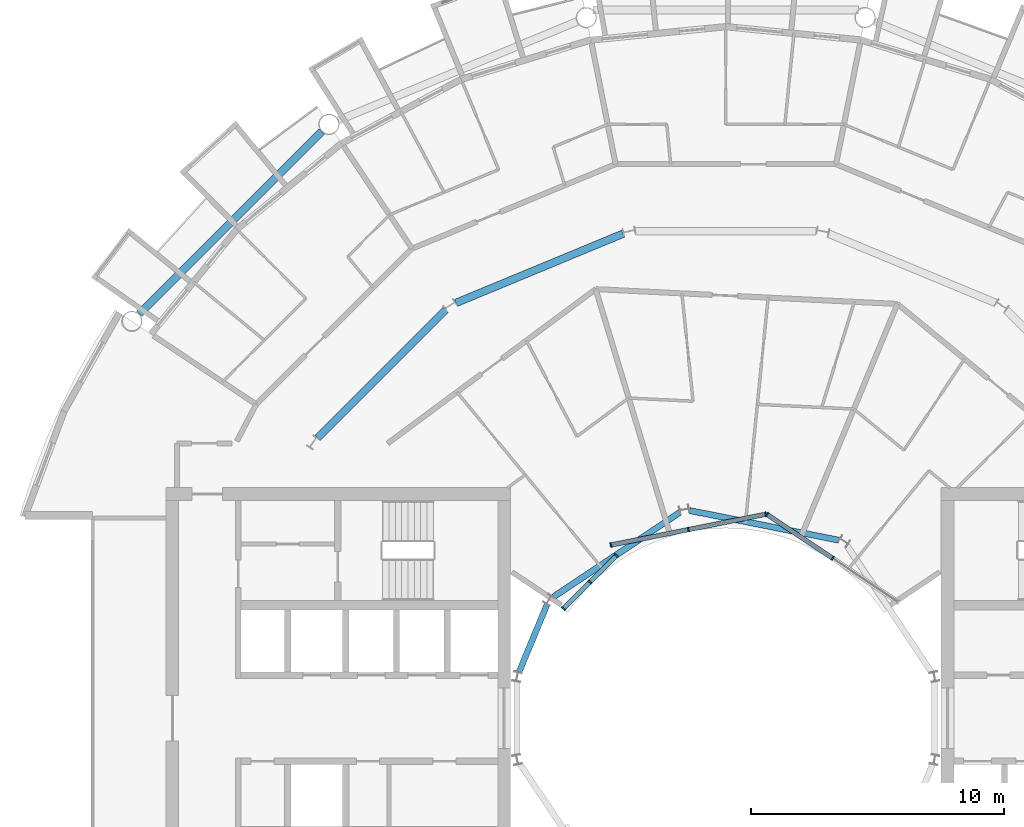
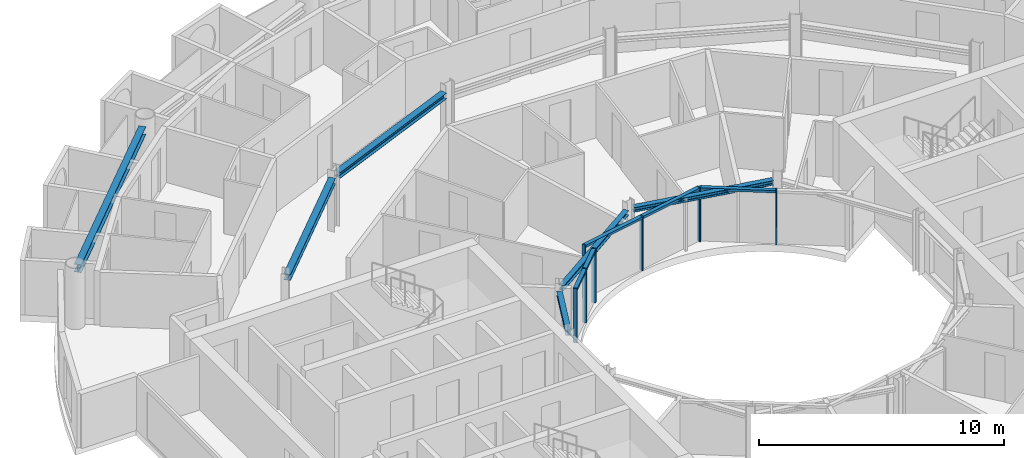
# One storey, part 8 of 27: 13 members, 6 beams, 3 elements without a shape of their own.
"""IFC4 building model written with IfcOpenShell, lengths in metres."""

import ifcopenshell
import ifcopenshell.guid

model = None  # the IFC model being written
_history = None  # IfcOwnerHistory: only IFC2X3 demands one
_inside = {}  # id of a spatial element -> (the spatial element, [elements in it])
_under = {}  # id of a project, library or spatial element -> (it, [spatial elements below it])
_declared = {}  # id of a project -> (the project, [libraries it declares])
_typed = {}  # id of a type object -> (the type object, [elements of that type])
_made_of = {}  # id of a material, layer set ... -> (it, [elements and type objects made of it])


def new_model(schema):
    """Start an empty IFC model of exactly this schema.

    Asked for "IFC4X3", IfcOpenShell would pick the latest addendum, in which some entities
    have other attributes; the version numbers below select the first issue.
    IFC2X3 requires an IfcOwnerHistory on every rooted entity: one is made here for all.
    """
    global model, _history
    if schema == "IFC4X3":
        model = ifcopenshell.file(schema_version=(4, 3, 0, 0))
    else:
        model = ifcopenshell.file(schema=schema)
    _inside.clear()
    _under.clear()
    _declared.clear()
    _typed.clear()
    _made_of.clear()
    _history = None
    if model.schema == "IFC2X3":
        org = make("IfcOrganization", Name="unknown")
        user = make(
            "IfcPersonAndOrganization",
            ThePerson=make("IfcPerson", FamilyName="unknown"),
            TheOrganization=org,
        )
        app = make(
            "IfcApplication",
            ApplicationDeveloper=org,
            Version="unknown",
            ApplicationFullName="unknown",
            ApplicationIdentifier="unknown",
        )
        _history = make(
            "IfcOwnerHistory",
            OwningUser=user,
            OwningApplication=app,
            ChangeAction="ADDED",
            CreationDate=0,
        )
    return model


def make(cls, **values):
    """One entity of the class cls with the attributes given. An attribute that is None is left unset."""
    return model.create_entity(
        cls, **{name: value for name, value in values.items() if value is not None}
    )


def rooted(cls, **values):
    """An entity with a GlobalId (a new one), such as an element, a storey or a relation."""
    return make(cls, GlobalId=ifcopenshell.guid.new(), OwnerHistory=_history, **values)


def si_unit(unit_type, name, prefix=None):
    """IfcSIUnit, for example si_unit("LENGTHUNIT", "METRE", prefix="MILLI")."""
    return make("IfcSIUnit", UnitType=unit_type, Prefix=prefix, Name=name)


def assignment(units):
    """IfcUnitAssignment: the units of a project."""
    return None if units is None else make("IfcUnitAssignment", Units=units)


def point(xyz):
    """IfcCartesianPoint."""
    return None if xyz is None else make("IfcCartesianPoint", Coordinates=xyz)


def direction(xyz):
    """IfcDirection."""
    return None if xyz is None else make("IfcDirection", DirectionRatios=xyz)


def frame(location, z_axis=None, x_axis=None):
    """IfcAxis2Placement3D, a coordinate frame: its origin and axes. An axis left out is left unset."""
    return make(
        "IfcAxis2Placement3D",
        Location=point(location),
        Axis=direction(z_axis),
        RefDirection=direction(x_axis),
    )


def frame_2d(location, x_axis=None):
    """IfcAxis2Placement2D, a coordinate frame in the plane: its origin and x axis."""
    return make(
        "IfcAxis2Placement2D", Location=point(location), RefDirection=direction(x_axis)
    )


def origin():
    """The frame at (0, 0, 0) with its axes left unset."""
    return frame((0.0, 0.0, 0.0))


def origin_2d():
    """The frame at (0, 0) in the plane with its x axis left unset."""
    return frame_2d((0.0, 0.0))


def place(relative_to, where):
    """IfcLocalPlacement: puts the frame where relative to a parent placement (None: the world)."""
    return make(
        "IfcLocalPlacement", PlacementRelTo=relative_to, RelativePlacement=where
    )


def context(
    kind, dimensions, precision=None, world=None, true_north=None, identifier=None
):
    """IfcGeometricRepresentationContext, for example the 3D "Model" context."""
    return make(
        "IfcGeometricRepresentationContext",
        ContextIdentifier=identifier,
        ContextType=kind,
        CoordinateSpaceDimension=dimensions,
        Precision=precision,
        WorldCoordinateSystem=world,
        TrueNorth=true_north,
    )


def subcontext(parent, identifier, kind, view, scale=None):
    """IfcGeometricRepresentationSubContext, for example "Body" below "Model"."""
    return make(
        "IfcGeometricRepresentationSubContext",
        ContextIdentifier=identifier,
        ContextType=kind,
        ParentContext=parent,
        TargetScale=scale,
        TargetView=view,
    )


def project(units=None, contexts=None):
    """IfcProject with its units and contexts."""
    return rooted(
        "IfcProject",
        Name="project",
        RepresentationContexts=contexts,
        UnitsInContext=assignment(units),
    )


def spatial(cls, under=None, at=None, **own):
    """A site, building, storey or space (cls), placed at a placement, below another one or the project."""
    s = rooted(cls, ObjectPlacement=at, **own)
    if under is not None:
        _under.setdefault(under.id(), (under, []))[1].append(s)
    return s


def profile(cls, at=None, kind="AREA", **sizes):
    """A parametric profile (cls). Its sizes go by their IFC names, for example OverallWidth=200.0."""
    return make(cls, ProfileType=kind, Position=at, **sizes)


def rectangle(**sizes):
    """IfcRectangleProfileDef."""
    return profile("IfcRectangleProfileDef", **sizes)


def i_section(**sizes):
    """IfcIShapeProfileDef."""
    return profile("IfcIShapeProfileDef", **sizes)


def extrude(swept, where, along, depth):
    """IfcExtrudedAreaSolid: the profile swept, set in the frame where, extruded along a direction by depth."""
    return make(
        "IfcExtrudedAreaSolid",
        SweptArea=swept,
        Position=where,
        ExtrudedDirection=direction(along),
        Depth=depth,
    )


def shape(context_of_items, identifier, shape_type, items):
    """IfcShapeRepresentation: the items that make up one representation, for example the "Body"."""
    return make(
        "IfcShapeRepresentation",
        ContextOfItems=context_of_items,
        RepresentationIdentifier=identifier,
        RepresentationType=shape_type,
        Items=items,
    )


def material(Name=None, Category=None):
    """IfcMaterial."""
    return make("IfcMaterial", Name=Name, Category=Category)


def layer(
    of_material, thickness, ventilated=None, Name=None, Category=None, Priority=None
):
    """IfcMaterialLayer: one layer of a wall or slab, of a material (None: an air gap)."""
    return make(
        "IfcMaterialLayer",
        Material=of_material,
        LayerThickness=thickness,
        IsVentilated=ventilated,
        Name=Name,
        Category=Category,
        Priority=Priority,
    )


def layer_set(layers, Name=None):
    """IfcMaterialLayerSet."""
    return make("IfcMaterialLayerSet", MaterialLayers=layers, LayerSetName=Name)


def material_profile(
    of_material, cross_section, Name=None, Category=None, Priority=None
):
    """IfcMaterialProfile: a cross section and its material."""
    return make(
        "IfcMaterialProfile",
        Name=Name,
        Material=of_material,
        Profile=cross_section,
        Priority=Priority,
        Category=Category,
    )


def profile_set(profiles, Name=None, composite=None):
    """IfcMaterialProfileSet."""
    return make(
        "IfcMaterialProfileSet",
        Name=Name,
        MaterialProfiles=profiles,
        CompositeProfile=composite,
    )


def made_of(thing, what):
    """Note that an element or type object is made of a material, layer set ...; save() writes the relation."""
    if what is not None:
        _made_of.setdefault(what.id(), (what, []))[1].append(thing)
    return thing


def type_object(cls, material=None, **own):
    """A type object (cls), such as IfcWallType, which elements share."""
    return made_of(rooted(cls, **own), material)


def element(
    cls,
    number,
    at=None,
    inside=None,
    cuts=None,
    type_object=None,
    material=None,
    context=None,
    identifier="Body",
    shape_type=None,
    held_by="IfcProductDefinitionShape",
    body=None,
    shapes=None,
    **own,
):
    """One element of the class cls, such as IfcWall. Its Tag is "e" and its number.

    at: its placement. inside: the storey or other place that contains it. cuts: it is an
    opening in that element (IfcRelVoidsElement). A single representation is given by context,
    identifier, shape_type and body (its items); several are given by shapes. held_by: the class
    of the entity that holds the representations. save() writes the other relations.
    """
    e = rooted(cls, Tag="e%d" % number, ObjectPlacement=at, **own)
    if body is not None:
        shapes = [shape(context, identifier, shape_type, body)]
    if shapes is not None:
        e.Representation = make(held_by, Representations=shapes)
    if inside is not None:
        _inside.setdefault(inside.id(), (inside, []))[1].append(e)
    if cuts is not None:
        rooted(
            "IfcRelVoidsElement", RelatingBuildingElement=cuts, RelatedOpeningElement=e
        )
    if type_object is not None:
        _typed.setdefault(type_object.id(), (type_object, []))[1].append(e)
    return made_of(e, material)


def aggregate(whole, parts):
    """IfcRelAggregates: a whole, such as a stair, and the parts it consists of."""
    return rooted("IfcRelAggregates", RelatingObject=whole, RelatedObjects=parts)


def save(model, path):
    """Write the relations noted so far, then the file.

    IfcRelAggregates (storeys below a building ...), IfcRelContainedInSpatialStructure (elements
    in a storey), IfcRelDefinesByType, IfcRelAssociatesMaterial and IfcRelDeclares: one each for
    every whole, place, type object, material and project.
    """
    for whole, parts in _under.values():
        aggregate(whole, parts)
    for where, things in _inside.values():
        rooted(
            "IfcRelContainedInSpatialStructure",
            RelatedElements=things,
            RelatingStructure=where,
        )
    for kind, things in _typed.values():
        rooted("IfcRelDefinesByType", RelatedObjects=things, RelatingType=kind)
    for what, things in _made_of.values():
        rooted("IfcRelAssociatesMaterial", RelatedObjects=things, RelatingMaterial=what)
    for by, libraries in _declared.values():
        rooted("IfcRelDeclares", RelatingContext=by, RelatedDefinitions=libraries)
    model.write(path)


model = new_model("IFC4")

# Units and contexts
model_context = context("Model", 3, precision=1e-05, world=origin(), true_north=direction((0.0, 1.0)))
body_context = subcontext(model_context, "Body", "Model", "MODEL_VIEW")
ifc_project = project(units=[si_unit("LENGTHUNIT", "METRE"), si_unit("AREAUNIT", "SQUARE_METRE"), si_unit("VOLUMEUNIT", "CUBIC_METRE"), si_unit("PLANEANGLEUNIT", "RADIAN"), si_unit("MASSUNIT", "GRAM", prefix="KILO")], contexts=[model_context])

# Site, building, storey
site_placement = place(None, origin())
site = spatial("IfcSite", under=ifc_project, at=site_placement, CompositionType="ELEMENT")
building_placement = place(site_placement, origin())
building = spatial("IfcBuilding", under=site, at=building_placement, Name="Maasbend Ring Residences", CompositionType="ELEMENT")
storey_placement = place(building_placement, frame((0.0, 0.0, 170.75)))
storey = spatial("IfcBuildingStorey", under=building, at=storey_placement, Name="L49", CompositionType="ELEMENT", Elevation=170.75)

# Curtain wall, members
ifc_material_1 = material(Name="Aluminium and clear glass", Category="aluminium")
ifc_layer = layer(ifc_material_1, 0.179931640625)
ifc_layer_set = layer_set([ifc_layer], Name="CW-W")
curtain_wall_type = type_object("IfcCurtainWallType", Name="CW-W", PredefinedType="NOTDEFINED", material=ifc_layer_set)
curtain_wall_1_placement = place(storey_placement, origin())
curtain_wall_1 = element("IfcCurtainWall", 1, at=curtain_wall_1_placement, inside=storey, type_object=curtain_wall_type, Name="Well curtain wall N1", PredefinedType="NOTDEFINED")
ifc_material_2 = material(Name="Aluminium 6063-T6", Category="aluminium")
ifc_material_profile_1 = material_profile(ifc_material_2, rectangle(XDim=0.179931640625, YDim=0.06005859375, at=origin_2d()), Name="AL 180x60")
ifc_profile_set_1 = profile_set([ifc_material_profile_1], Name="Aluminium 6063-T6")
member_type_1 = type_object("IfcMemberType", Name="CWM-W", PredefinedType="MULLION", material=ifc_profile_set_1)
member_1_placement = place(storey_placement, frame((4.216796875, 6.310791015625, 0.0), z_axis=(0.0, 0.0, 1.0), x_axis=(-0.55557023302, -0.831469612303, 0.0)))
member_1 = element("IfcMember", 2, at=member_1_placement, type_object=member_type_1, Name="Mullion well face", PredefinedType="MULLION", context=body_context, shape_type="SweptSolid", body=[
    extrude(rectangle(XDim=0.179931640625, YDim=0.06005859375, at=origin_2d()), origin(), (0.0, 0.0, 1.0), 2.699951171875),
])
member_2_placement = place(storey_placement, frame((1.627685546875, 8.040771484375, 0.0), z_axis=(0.0, 0.0, 1.0), x_axis=(-0.55557023302, -0.831469612303, 0.0)))
member_2 = element("IfcMember", 3, at=member_2_placement, type_object=member_type_1, Name="Mullion well face", PredefinedType="MULLION", context=body_context, shape_type="SweptSolid", body=[
    extrude(rectangle(XDim=0.179931640625, YDim=0.06005859375, at=origin_2d()), origin(), (0.0, 0.0, 1.0), 2.699951171875),
])

curtain_wall_2_placement = place(storey_placement, origin())
curtain_wall_2 = element("IfcCurtainWall", 4, at=curtain_wall_2_placement, inside=storey, type_object=curtain_wall_type, Name="Well curtain wall N2", PredefinedType="NOTDEFINED")
member_3_placement = place(storey_placement, frame((1.5732421875, 8.0517578125, 0.0), z_axis=(0.0, 0.0, 1.0), x_axis=(0.195090322016, -0.980785280403, 0.0)))
member_3 = element("IfcMember", 5, at=member_3_placement, type_object=member_type_1, Name="Mullion well face", PredefinedType="MULLION", context=body_context, shape_type="SweptSolid", body=[
    extrude(rectangle(XDim=0.179931640625, YDim=0.06005859375, at=origin_2d()), origin(), (0.0, 0.0, 1.0), 2.699951171875),
])
member_4_placement = place(storey_placement, frame((-1.480712890625, 7.444091796875, 0.0), z_axis=(0.0, 0.0, 1.0), x_axis=(0.195090322016, -0.980785280403, 0.0)))
member_4 = element("IfcMember", 6, at=member_4_placement, type_object=member_type_1, Name="Mullion well face", PredefinedType="MULLION", context=body_context, shape_type="SweptSolid", body=[
    extrude(rectangle(XDim=0.179931640625, YDim=0.06005859375, at=origin_2d()), origin(), (0.0, 0.0, 1.0), 2.699951171875),
])
member_5_placement = place(storey_placement, frame((-4.53466796875, 6.836669921875, 0.0), z_axis=(0.0, 0.0, 1.0), x_axis=(0.195090322016, -0.980785280403, 0.0)))
member_5 = element("IfcMember", 7, at=member_5_placement, type_object=member_type_1, Name="Mullion well face", PredefinedType="MULLION", context=body_context, shape_type="SweptSolid", body=[
    extrude(rectangle(XDim=0.179931640625, YDim=0.06005859375, at=origin_2d()), origin(), (0.0, 0.0, 1.0), 2.699951171875),
])

curtain_wall_3_placement = place(storey_placement, origin())
curtain_wall_3 = element("IfcCurtainWall", 8, at=curtain_wall_3_placement, inside=storey, type_object=curtain_wall_type, Name="Well curtain wall N3", PredefinedType="NOTDEFINED")
member_6_placement = place(storey_placement, frame((-4.320556640625, 6.413330078125, 0.0), z_axis=(0.0, 0.0, 1.0), x_axis=(0.707106781187, -0.707106781187, 0.0)))
member_6 = element("IfcMember", 9, at=member_6_placement, type_object=member_type_1, Name="Mullion well face", PredefinedType="MULLION", context=body_context, shape_type="SweptSolid", body=[
    extrude(rectangle(XDim=0.179931640625, YDim=0.06005859375, at=origin_2d()), origin(), (0.0, 0.0, 1.0), 2.699951171875),
])
member_7_placement = place(storey_placement, frame((-5.366943359375, 5.366943359375, 0.0), z_axis=(0.0, 0.0, 1.0), x_axis=(0.707106781187, -0.707106781187, 0.0)))
member_7 = element("IfcMember", 10, at=member_7_placement, type_object=member_type_1, Name="Mullion well face", PredefinedType="MULLION", context=body_context, shape_type="SweptSolid", body=[
    extrude(rectangle(XDim=0.179931640625, YDim=0.06005859375, at=origin_2d()), origin(), (0.0, 0.0, 1.0), 2.699951171875),
])
member_8_placement = place(storey_placement, frame((-6.413330078125, 4.320556640625, 0.0), z_axis=(0.0, 0.0, 1.0), x_axis=(0.707106781187, -0.707106781187, 0.0)))
member_8 = element("IfcMember", 11, at=member_8_placement, type_object=member_type_1, Name="Mullion well face", PredefinedType="MULLION", context=body_context, shape_type="SweptSolid", body=[
    extrude(rectangle(XDim=0.179931640625, YDim=0.06005859375, at=origin_2d()), origin(), (0.0, 0.0, 1.0), 2.699951171875),
])

# Member
ifc_material_3 = material(Name="Aluminium 6063-T6", Category="aluminium")
ifc_material_profile_2 = material_profile(ifc_material_3, rectangle(XDim=0.179931640625, YDim=0.1201171875, at=origin_2d()), Name="AL 180x120")
ifc_profile_set_2 = profile_set([ifc_material_profile_2], Name="Aluminium 6063-T6")
member_type_2 = type_object("IfcMemberType", Name="CWT-W", PredefinedType="USERDEFINED", material=ifc_profile_set_2)
member_9_placement = place(storey_placement, frame((4.19189453125, 6.32763671875, 2.639892578125), z_axis=(-0.831496422459, 0.555530106689, 0.0), x_axis=(-0.555530106689, -0.831496422459, 0.0)))
member_9 = element("IfcMember", 12, at=member_9_placement, type_object=member_type_2, Name="Transom well face", ObjectType="TRANSOM", PredefinedType="USERDEFINED", context=body_context, shape_type="SweptSolid", body=[
    extrude(rectangle(XDim=0.179931640625, YDim=0.1201171875, at=origin_2d()), origin(), (0.0, 0.0, 1.0), 3.053955078125),
])

aggregate(curtain_wall_1, [member_1, member_2, member_9])

member_10_placement = place(storey_placement, frame((1.5439453125, 8.0458984375, 2.639892578125), z_axis=(-0.980776956105, -0.195132166424, 0.0), x_axis=(0.195132166424, -0.980776956105, 0.0)))
member_10 = element("IfcMember", 13, at=member_10_placement, type_object=member_type_2, Name="Transom well face", ObjectType="TRANSOM", PredefinedType="USERDEFINED", context=body_context, shape_type="SweptSolid", body=[
    extrude(rectangle(XDim=0.179931640625, YDim=0.1201171875, at=origin_2d()), origin(), (0.0, 0.0, 1.0), 3.053955078125),
])

member_11_placement = place(storey_placement, frame((-1.51025390625, 7.438232421875, 2.639892578125), z_axis=(-0.980789210404, -0.19507056353, 0.0), x_axis=(0.19507056353, -0.980789210404, 0.0)))
member_11 = element("IfcMember", 14, at=member_11_placement, type_object=member_type_2, Name="Transom well face", ObjectType="TRANSOM", PredefinedType="USERDEFINED", context=body_context, shape_type="SweptSolid", body=[
    extrude(rectangle(XDim=0.179931640625, YDim=0.1201171875, at=origin_2d()), origin(), (0.0, 0.0, 1.0), 3.0537109375),
])

aggregate(curtain_wall_2, [member_3, member_4, member_5, member_10, member_11])

member_12_placement = place(storey_placement, frame((-4.341796875, 6.39208984375, 2.639892578125), z_axis=(-0.707106781187, -0.707106781187, 0.0), x_axis=(0.707106781187, -0.707106781187, 0.0)))
member_12 = element("IfcMember", 15, at=member_12_placement, type_object=member_type_2, Name="Transom well face", ObjectType="TRANSOM", PredefinedType="USERDEFINED", context=body_context, shape_type="SweptSolid", body=[
    extrude(rectangle(XDim=0.179931640625, YDim=0.1201171875, at=origin_2d()), origin(), (0.0, 0.0, 1.0), 1.419677734375),
])

member_13_placement = place(storey_placement, frame((-5.38818359375, 5.345703125, 2.639892578125), z_axis=(-0.707106781187, -0.707106781187, 0.0), x_axis=(0.707106781187, -0.707106781187, 0.0)))
member_13 = element("IfcMember", 16, at=member_13_placement, type_object=member_type_2, Name="Transom well face", ObjectType="TRANSOM", PredefinedType="USERDEFINED", context=body_context, shape_type="SweptSolid", body=[
    extrude(rectangle(XDim=0.179931640625, YDim=0.1201171875, at=origin_2d()), origin(), (0.0, 0.0, 1.0), 1.419677734375),
])

aggregate(curtain_wall_3, [member_6, member_7, member_8, member_12, member_13])

# Beams
ifc_material_4 = material(Name="Steel S355J2", Category="steel")
ifc_material_profile_3 = material_profile(ifc_material_4, i_section(OverallWidth=0.300048828125, OverallDepth=0.2900390625, WebThickness=0.008544921875, FlangeThickness=0.013916015625, FilletRadius=0.027099609375, at=origin_2d()), Name="HEA 300")
ifc_profile_set_3 = profile_set([ifc_material_profile_3], Name="Steel S355J2")
beam_type_1 = type_object("IfcBeamType", Name="Corridor ring beam HEA 300", PredefinedType="BEAM", material=ifc_profile_set_3)
for number, where, z_axis, x_axis, name in (
    (17, (-4.059326171875, 19.1259765625, 2.554931640625), (-0.923871339849, -0.382703210602, 0.0), (0.382703210602, -0.923871339849, 0.0), "Corridor ring beam"),
    (18, (-11.0693359375, 16.11669921875, 2.554931640625), (-0.707106781187, -0.707106781187, 0.0), (0.707106781187, -0.707106781187, 0.0), "Corridor ring beam"),
):
    element("IfcBeam", number, at=place(storey_placement, frame(where, z_axis=z_axis, x_axis=x_axis)), inside=storey, type_object=beam_type_1, Name=name, PredefinedType="BEAM", context=body_context, shape_type="SweptSolid", body=[
        extrude(i_section(OverallWidth=0.300048828125, OverallDepth=0.2900390625, WebThickness=0.008544921875, FlangeThickness=0.013916015625, FilletRadius=0.027099609375, at=origin_2d()), origin(), (0.0, 0.0, 1.0), 7.137939453125),
    ])
ifc_material_5 = material(Name="Steel S355J2", Category="steel")
ifc_material_profile_4 = material_profile(ifc_material_5, i_section(OverallWidth=0.300048828125, OverallDepth=0.39990234375, WebThickness=0.013427734375, FlangeThickness=0.02392578125, FilletRadius=0.027099609375, at=origin_2d()), Name="HEB 400")
ifc_profile_set_4 = profile_set([ifc_material_profile_4], Name="Steel S355J2")
beam_type_2 = type_object("IfcBeamType", Name="Spandrel ring beam HEB 400", PredefinedType="SPANDREL", material=ifc_profile_set_4)
beam_1_placement = place(storey_placement, frame((-15.95458984375, 23.159912109375, 2.5), z_axis=(-0.707106781187, -0.707106781187, 0.0), x_axis=(0.707106781187, -0.707106781187, 0.0)))
element("IfcBeam", 19, at=beam_1_placement, inside=storey, type_object=beam_type_2, Name="Spandrel ring beam", PredefinedType="SPANDREL", context=body_context, shape_type="SweptSolid", body=[
    extrude(i_section(OverallWidth=0.300048828125, OverallDepth=0.39990234375, WebThickness=0.013427734375, FlangeThickness=0.02392578125, FilletRadius=0.027099609375, at=origin_2d()), origin(), (0.0, 0.0, 1.0), 10.18994140625),
])
ifc_material_6 = material(Name="Steel S355J2", Category="steel")
ifc_material_profile_5 = material_profile(ifc_material_6, i_section(OverallWidth=0.239990234375, OverallDepth=0.22998046875, WebThickness=0.007568359375, FlangeThickness=0.011962890625, FilletRadius=0.02099609375, at=origin_2d()), Name="HEA 240")
ifc_profile_set_5 = profile_set([ifc_material_profile_5], Name="Steel S355J2")
beam_type_3 = type_object("IfcBeamType", Name="Well edge beam HEA 240", PredefinedType="BEAM", material=ifc_profile_set_5)
beam_2_placement = place(storey_placement, frame((4.459716796875, 7.025390625, 2.5849609375), z_axis=(-0.980778695042, 0.195123425945, 0.0), x_axis=(-0.195123425945, -0.980778695042, 0.0)))
element("IfcBeam", 20, at=beam_2_placement, inside=storey, type_object=beam_type_3, Name="Well edge beam", PredefinedType="BEAM", context=body_context, shape_type="SweptSolid", body=[
    extrude(i_section(OverallWidth=0.239990234375, OverallDepth=0.22998046875, WebThickness=0.007568359375, FlangeThickness=0.011962890625, FilletRadius=0.02099609375, at=origin_2d()), origin(), (0.0, 0.0, 1.0), 6.007080078125),
])
beam_3_placement = place(storey_placement, frame((-1.814208984375, 8.121337890625, 2.5849609375), z_axis=(-0.831480850227, -0.555553413909, 0.0), x_axis=(0.555553413909, -0.831480850227, 0.0)))
element("IfcBeam", 21, at=beam_3_placement, inside=storey, type_object=beam_type_3, Name="Well edge beam", PredefinedType="BEAM", context=body_context, shape_type="SweptSolid", body=[
    extrude(i_section(OverallWidth=0.239990234375, OverallDepth=0.22998046875, WebThickness=0.007568359375, FlangeThickness=0.011962890625, FilletRadius=0.02099609375, at=origin_2d()), origin(), (0.0, 0.0, 1.0), 6.0068359375),
])
beam_4_placement = place(storey_placement, frame((-7.060302734375, 4.483154296875, 2.5849609375), z_axis=(-0.382748596828, -0.923852537814, 0.0), x_axis=(0.923852537814, -0.382748596828, 0.0)))
element("IfcBeam", 22, at=beam_4_placement, inside=storey, type_object=beam_type_3, Name="Well edge beam", PredefinedType="BEAM", context=body_context, shape_type="SweptSolid", body=[
    extrude(i_section(OverallWidth=0.239990234375, OverallDepth=0.22998046875, WebThickness=0.007568359375, FlangeThickness=0.011962890625, FilletRadius=0.02099609375, at=origin_2d()), origin(), (0.0, 0.0, 1.0), 2.8798828125),
])

save(model, "model.ifc")
